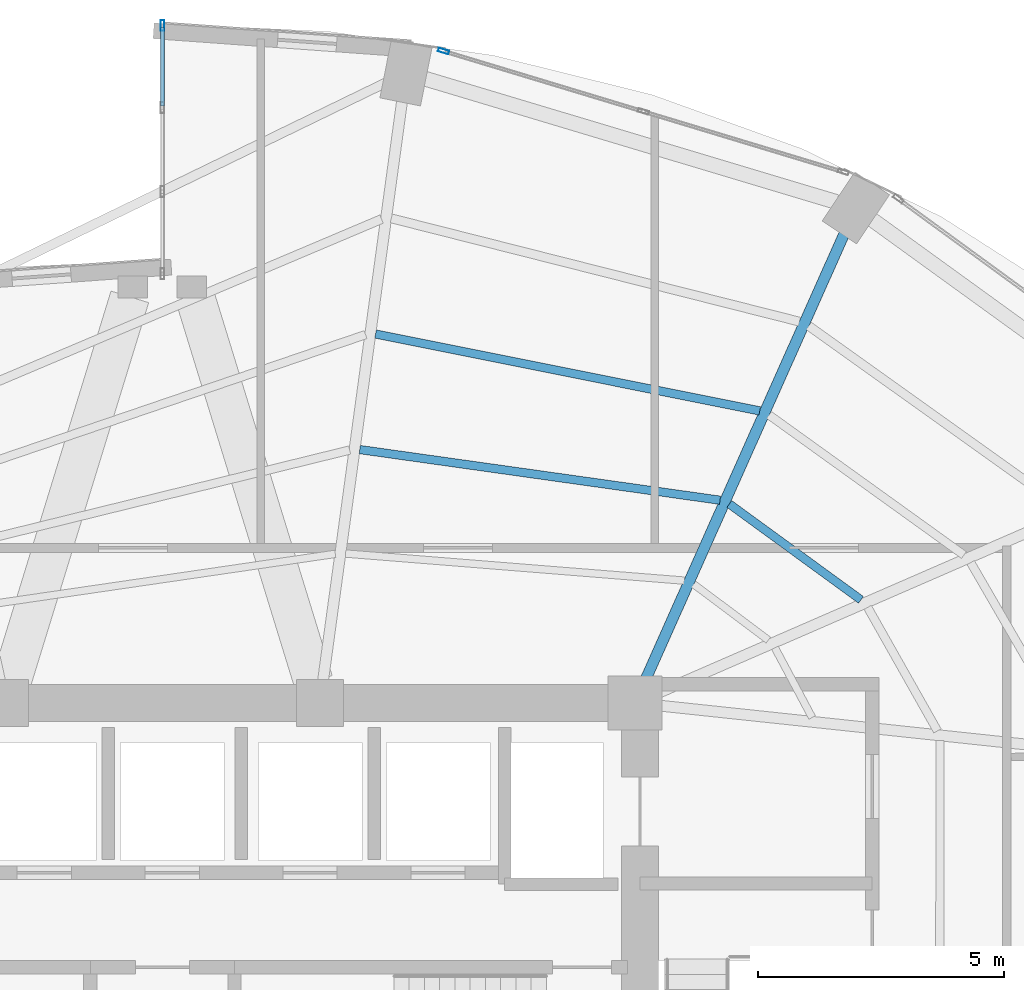
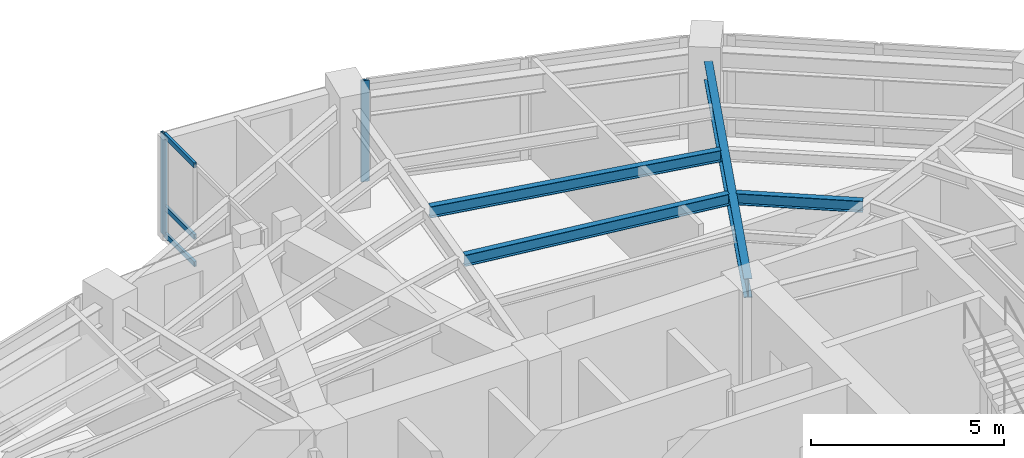
# One storey, part 16 of 24: 5 members, 4 beams, 2 elements without a shape of their own.
"""IFC4 building model written with IfcOpenShell, lengths in metres."""

from ifc_helpers import new_model, si_unit, direction, frame, origin, origin_2d, place, context, subcontext, project, spatial, hollow_rectangle, i_section, extrude, material, layer, layer_set, material_profile, profile_set, type_object, element, aggregate, save


model = new_model("IFC4")

# Units and contexts
model_context = context("Model", 3, precision=1e-05, world=origin(), true_north=direction((0.0, 1.0)))
body_context = subcontext(model_context, "Body", "Model", "MODEL_VIEW")
ifc_project = project(units=[si_unit("LENGTHUNIT", "METRE"), si_unit("AREAUNIT", "SQUARE_METRE"), si_unit("VOLUMEUNIT", "CUBIC_METRE"), si_unit("PLANEANGLEUNIT", "RADIAN"), si_unit("MASSUNIT", "GRAM", prefix="KILO")], contexts=[model_context])

# Site, building, storey
site_placement = place(None, origin())
site = spatial("IfcSite", under=ifc_project, at=site_placement, CompositionType="ELEMENT")
building_placement = place(site_placement, origin())
building = spatial("IfcBuilding", under=site, at=building_placement, Name="Lazwardi Medical Tower", CompositionType="ELEMENT")
storey_placement = place(building_placement, frame((0.0, 0.0, 129.16796875)))
storey = spatial("IfcBuildingStorey", under=building, at=storey_placement, Name="L33", CompositionType="ELEMENT", Elevation=129.16796875)

# Beams
ifc_material_1 = material(Name="Steel S355", Category="steel")
ifc_material_profile_1 = material_profile(ifc_material_1, i_section(OverallWidth=0.219970703125, OverallDepth=0.60009765625, WebThickness=0.011962890625, FlangeThickness=0.01904296875, at=origin_2d()), Name="IPE 600")
ifc_profile_set_1 = profile_set([ifc_material_profile_1], Name="Steel S355")
beam_type_1 = type_object("IfcBeamType", Name="BM-RG-W1", PredefinedType="BEAM", material=ifc_profile_set_1)
beam_1_placement = place(storey_placement, frame((49.847412109375, 45.127685546875, 2.89794921875), z_axis=(-0.407165924957, -0.913354208155, 0.0), x_axis=(0.913354208155, -0.407165924957, 0.0)))
element("IfcBeam", 1, at=beam_1_placement, inside=storey, type_object=beam_type_1, Name="Radial girder RG-02 R07 L33", PredefinedType="BEAM", context=body_context, shape_type="SweptSolid", body=[
    extrude(i_section(OverallWidth=0.219970703125, OverallDepth=0.60009765625, WebThickness=0.011962890625, FlangeThickness=0.01904296875, at=origin_2d()), origin(), (0.0, 0.0, 1.0), 9.896484375),
])
ifc_material_profile_2 = material_profile(ifc_material_1, i_section(OverallWidth=0.169921875, OverallDepth=0.360107421875, WebThickness=0.008056640625, FlangeThickness=0.0126953125, at=origin_2d()), Name="IPE 360")
ifc_profile_set_2 = profile_set([ifc_material_profile_2], Name="Steel S355")
beam_type_2 = type_object("IfcBeamType", Name="BM-SJ-02", PredefinedType="JOIST", material=ifc_profile_set_2)
beam_2_placement = place(storey_placement, frame((48.1328125, 41.53271484375, 3.01806640625), z_axis=(-0.980542906584, 0.196304886203, 0.0), x_axis=(-0.196304886203, -0.980542906584, 0.0)))
element("IfcBeam", 2, at=beam_2_placement, inside=storey, type_object=beam_type_2, Name="Secondary joist SJ-02 R2 B07 L33", PredefinedType="JOIST", context=body_context, shape_type="SweptSolid", body=[
    extrude(i_section(OverallWidth=0.169921875, OverallDepth=0.360107421875, WebThickness=0.008056640625, FlangeThickness=0.0126953125, at=origin_2d()), origin(), (0.0, 0.0, 1.0), 7.95947265625),
])
beam_3_placement = place(storey_placement, frame((50.18798828125, 37.6953125, 3.01806640625), z_axis=(-0.808301737247, 0.588768461761, 0.0), x_axis=(-0.588768461761, -0.808301737247, 0.0)))
element("IfcBeam", 3, at=beam_3_placement, inside=storey, type_object=beam_type_2, Name="Secondary joist SJ-02 R3 B06 L33", PredefinedType="JOIST", context=body_context, shape_type="SweptSolid", body=[
    extrude(i_section(OverallWidth=0.169921875, OverallDepth=0.360107421875, WebThickness=0.008056640625, FlangeThickness=0.0126953125, at=origin_2d()), origin(), (0.0, 0.0, 1.0), 3.307373046875),
])
beam_4_placement = place(storey_placement, frame((47.32568359375, 39.718994140625, 3.01806640625), z_axis=(-0.990260920731, 0.139223952222, 0.0), x_axis=(-0.139223952222, -0.990260920731, 0.0)))
element("IfcBeam", 4, at=beam_4_placement, inside=storey, type_object=beam_type_2, Name="Secondary joist SJ-02 R3 B07 L33", PredefinedType="JOIST", context=body_context, shape_type="SweptSolid", body=[
    extrude(i_section(OverallWidth=0.169921875, OverallDepth=0.360107421875, WebThickness=0.008056640625, FlangeThickness=0.0126953125, at=origin_2d()), origin(), (0.0, 0.0, 1.0), 7.3896484375),
])

# Curtain wall, member
ifc_material_2 = material(Name="Anodised bronze aluminium and solar control glazing", Category="aluminium")
ifc_layer_1 = layer(ifc_material_2, 0.195068359375)
ifc_layer_set_1 = layer_set([ifc_layer_1], Name="Anodised bronze aluminium and solar control glazing")
curtain_wall_type_1 = type_object("IfcCurtainWallType", Name="CW-SYS-03", PredefinedType="NOTDEFINED", material=ifc_layer_set_1)
curtain_wall_1_placement = place(storey_placement, origin())
curtain_wall_1 = element("IfcCurtainWall", 5, at=curtain_wall_1_placement, inside=storey, type_object=curtain_wall_type_1, Name="L33 Unitised bronze curtain wall CW-03", PredefinedType="NOTDEFINED")
ifc_material_3 = material(Name="Anodised bronze aluminium", Category="aluminium")
ifc_material_profile_3 = material_profile(ifc_material_3, hollow_rectangle(XDim=0.074951171875, YDim=0.219970703125, WallThickness=0.00390625, at=origin_2d()), Name="ALU-MULLION 220x75x4")
ifc_profile_set_3 = profile_set([ifc_material_profile_3], Name="Anodised bronze aluminium")
member_type_1 = type_object("IfcMemberType", Name="CW-MUL-01", PredefinedType="MULLION", material=ifc_profile_set_3)
member_1_placement = place(storey_placement, frame((41.710205078125, 48.840087890625, 0.0), z_axis=(0.0, 0.0, 1.0), x_axis=(-0.28937381157, -0.957216170558, 0.0)))
member_1 = element("IfcMember", 6, at=member_1_placement, type_object=member_type_1, Name="CW-03 mullion 3", PredefinedType="MULLION", context=body_context, shape_type="SweptSolid", body=[
    extrude(hollow_rectangle(XDim=0.074951171875, YDim=0.219970703125, WallThickness=0.00390625, at=origin_2d()), origin(), (0.0, 0.0, 1.0), 3.197998046875),
])
aggregate(curtain_wall_1, [member_1])

# Curtain wall, members
ifc_layer_2 = layer(ifc_material_2, 0.2099609375)
ifc_layer_set_2 = layer_set([ifc_layer_2], Name="Anodised bronze aluminium and solar control glazing")
curtain_wall_type_2 = type_object("IfcCurtainWallType", Name="CW-SYS-06", PredefinedType="NOTDEFINED", material=ifc_layer_set_2)
curtain_wall_2_placement = place(storey_placement, origin())
curtain_wall_2 = element("IfcCurtainWall", 7, at=curtain_wall_2_placement, inside=storey, type_object=curtain_wall_type_2, Name="L33 Unitised bronze curtain wall CW-06", PredefinedType="NOTDEFINED")
member_2_placement = place(storey_placement, frame((36.0, 49.362548828125, 0.0), z_axis=(0.0, 0.0, 1.0), x_axis=(1.0, 0.0, 0.0)))
member_2 = element("IfcMember", 8, at=member_2_placement, type_object=member_type_1, Name="CW-06 mullion 1", PredefinedType="MULLION", context=body_context, shape_type="SweptSolid", body=[
    extrude(hollow_rectangle(XDim=0.074951171875, YDim=0.219970703125, WallThickness=0.00390625, at=origin_2d()), origin(), (0.0, 0.0, 1.0), 3.197998046875),
])
ifc_material_profile_4 = material_profile(ifc_material_3, hollow_rectangle(XDim=0.074951171875, YDim=0.159912109375, WallThickness=0.00390625, at=origin_2d()), Name="ALU-TRANSOM 160x75x4")
ifc_profile_set_4 = profile_set([ifc_material_profile_4], Name="Anodised bronze aluminium")
member_type_2 = type_object("IfcMemberType", Name="CW-TRN-01", PredefinedType="USERDEFINED", material=ifc_profile_set_4)
member_3_placement = place(storey_placement, frame((36.0, 49.324951171875, 0.03759765625), z_axis=(0.0, -1.0, 0.0), x_axis=(1.0, 0.0, 0.0)))
member_3 = element("IfcMember", 9, at=member_3_placement, type_object=member_type_2, Name="CW-06 transom 1.1", ObjectType="TRANSOM", PredefinedType="USERDEFINED", context=body_context, shape_type="SweptSolid", body=[
    extrude(hollow_rectangle(XDim=0.074951171875, YDim=0.159912109375, WallThickness=0.00390625, at=origin_2d()), origin(), (0.0, 0.0, 1.0), 1.59423828125),
])
member_4_placement = place(storey_placement, frame((36.0, 49.324951171875, 0.900146484375), z_axis=(0.0, -1.0, 0.0), x_axis=(1.0, 0.0, 0.0)))
member_4 = element("IfcMember", 10, at=member_4_placement, type_object=member_type_2, Name="CW-06 transom 1.2", ObjectType="TRANSOM", PredefinedType="USERDEFINED", context=body_context, shape_type="SweptSolid", body=[
    extrude(hollow_rectangle(XDim=0.074951171875, YDim=0.159912109375, WallThickness=0.00390625, at=origin_2d()), origin(), (0.0, 0.0, 1.0), 1.59423828125),
])
member_5_placement = place(storey_placement, frame((36.0, 49.324951171875, 3.16064453125), z_axis=(0.0, -1.0, 0.0), x_axis=(1.0, 0.0, 0.0)))
member_5 = element("IfcMember", 11, at=member_5_placement, type_object=member_type_2, Name="CW-06 transom 1.3", ObjectType="TRANSOM", PredefinedType="USERDEFINED", context=body_context, shape_type="SweptSolid", body=[
    extrude(hollow_rectangle(XDim=0.074951171875, YDim=0.159912109375, WallThickness=0.00390625, at=origin_2d()), origin(), (0.0, 0.0, 1.0), 1.59423828125),
])
aggregate(curtain_wall_2, [member_2, member_3, member_4, member_5])

save(model, "model.ifc")
